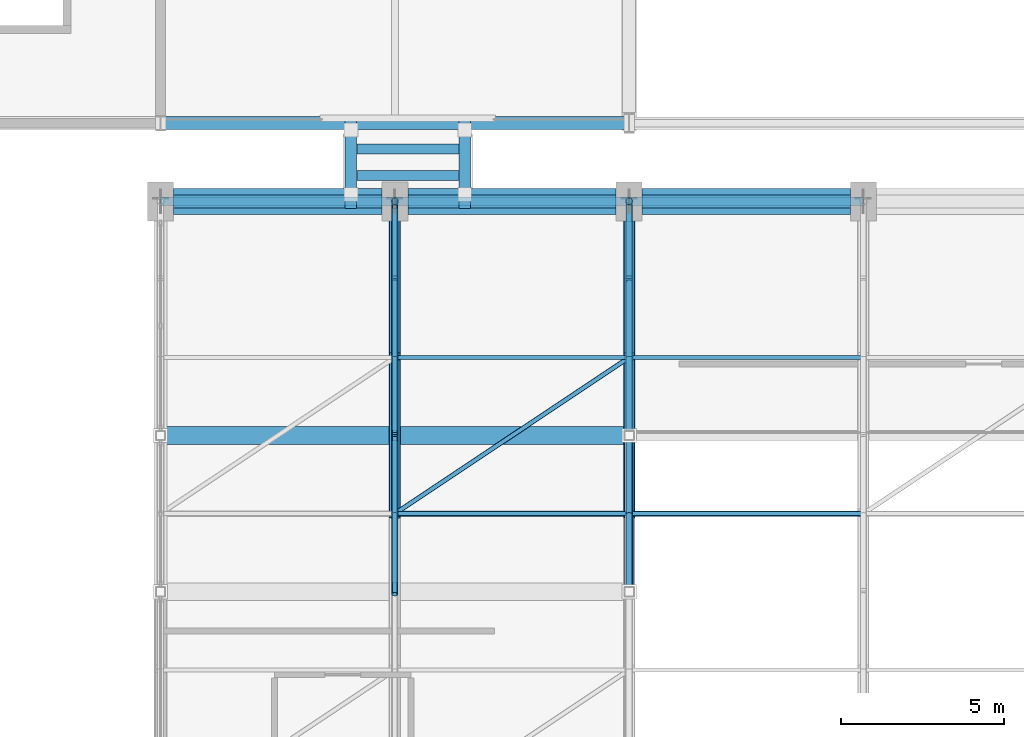
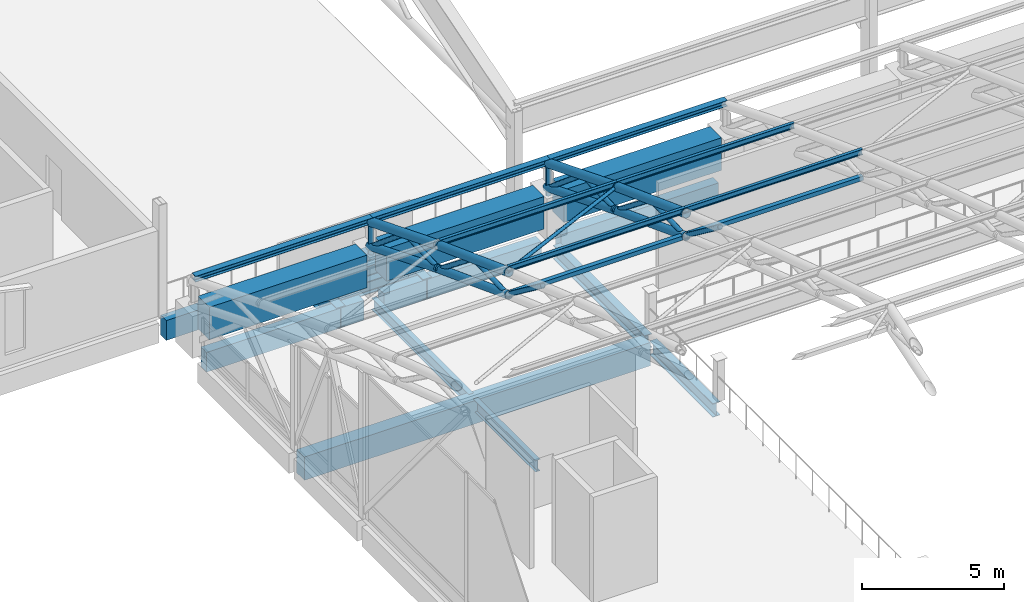
# One storey, part 50 of 116: 30 members, 16 beams.
"""IFC4 building model written with IfcOpenShell, lengths in metres."""

from ifc_helpers import new_model, si_unit, direction, frame, origin, origin_2d, place, context, subcontext, project, spatial, rectangle, hollow_rectangle, hollow_circle, i_section, extrude, material, material_profile, profile_set, type_object, element, save


model = new_model("IFC4")

# Units and contexts
model_context = context("Model", 3, precision=1e-05, world=origin(), true_north=direction((0.0, 1.0)))
body_context = subcontext(model_context, "Body", "Model", "MODEL_VIEW")
ifc_project = project(units=[si_unit("LENGTHUNIT", "METRE"), si_unit("AREAUNIT", "SQUARE_METRE"), si_unit("VOLUMEUNIT", "CUBIC_METRE"), si_unit("PLANEANGLEUNIT", "RADIAN"), si_unit("MASSUNIT", "GRAM", prefix="KILO")], contexts=[model_context])

# Site, building, storey
site_placement = place(None, origin())
site = spatial("IfcSite", under=ifc_project, at=site_placement, CompositionType="ELEMENT")
building_placement = place(site_placement, origin())
building = spatial("IfcBuilding", under=site, at=building_placement, Name="Cendralis Lancet Convention Centre", CompositionType="ELEMENT")
storey_placement = place(building_placement, frame((0.0, 0.0, 15.0)))
storey = spatial("IfcBuildingStorey", under=building, at=storey_placement, Name="L03", CompositionType="ELEMENT", Elevation=15.0)

# Beams
ifc_material_1 = material(Name="Concrete G40 (C40/50)", Category="concrete")
ifc_material_profile_1 = material_profile(ifc_material_1, rectangle(XDim=0.550048828125, YDim=1.0, at=origin_2d()), Name="RCB 550x1000")
ifc_profile_set_1 = profile_set([ifc_material_profile_1], Name="Concrete G40 (C40/50)")
beam_type_1 = type_object("IfcBeamType", Name="STR-BM-BG05", PredefinedType="BEAM", material=ifc_profile_set_1)
beam_1_placement = place(storey_placement, frame((139.375, 84.0, -0.760009765625), z_axis=(1.0, 0.0, 0.0), x_axis=(0.0, 1.0, 0.0)))
element("IfcBeam", 1, at=beam_1_placement, inside=storey, type_object=beam_type_1, Name="L03 Beam BG05 #1529", PredefinedType="BEAM", context=body_context, shape_type="SweptSolid", body=[
    extrude(rectangle(XDim=0.550048828125, YDim=1.0, at=origin_2d()), origin(), (0.0, 0.0, 1.0), 14.050048828125),
])
ifc_material_profile_2 = material_profile(ifc_material_1, rectangle(XDim=0.800048828125, YDim=1.39990234375, at=origin_2d()), Name="RCB 800x1400")
ifc_profile_set_2 = profile_set([ifc_material_profile_2], Name="Concrete G40 (C40/50)")
beam_type_2 = type_object("IfcBeamType", Name="STR-BM-BG17", PredefinedType="BEAM", material=ifc_profile_set_2)
for number, where, z_axis, x_axis, name in (
    (2, (139.60009765625, 91.199951171875, 1.10009765625), (1.0, 0.0, 0.0), (0.0, 1.0, 0.0), "L03 Beam BG17 #1568"),
    (3, (146.800048828125, 91.199951171875, 1.10009765625), (1.0, 0.0, 0.0), (0.0, 1.0, 0.0), "L03 Beam BG17 #1569"),
    (4, (154.0, 91.199951171875, 1.10009765625), (1.0, 0.0, 0.0), (0.0, 1.0, 0.0), "L03 Beam BG17 #1570"),
):
    element("IfcBeam", number, at=place(storey_placement, frame(where, z_axis=z_axis, x_axis=x_axis)), inside=storey, type_object=beam_type_2, Name=name, PredefinedType="BEAM", context=body_context, shape_type="SweptSolid", body=[
        extrude(rectangle(XDim=0.800048828125, YDim=1.39990234375, at=origin_2d()), origin(), (0.0, 0.0, 1.0), 6.39990234375),
    ])
ifc_material_2 = material(Name="Steel S355", Category="steel")
ifc_material_profile_3 = material_profile(ifc_material_2, i_section(OverallWidth=0.35009765625, OverallDepth=0.89990234375, WebThickness=0.01611328125, FlangeThickness=0.028076171875, at=origin_2d()), Name="PG 900x350")
ifc_profile_set_3 = profile_set([ifc_material_profile_3], Name="Steel S355")
beam_type_3 = type_object("IfcBeamType", Name="STR-BM-SG05", PredefinedType="BEAM", material=ifc_profile_set_3)
for number, where, z_axis, x_axis, name in (
    (5, (145.050048828125, 90.97998046875, -0.64990234375), (0.0, 1.0, 0.0), (-1.0, 0.0, 0.0), "L03 Beam SG05 #1896"),
    (6, (148.550048828125, 90.97998046875, -0.64990234375), (0.0, 1.0, 0.0), (-1.0, 0.0, 0.0), "L03 Beam SG05 #1897"),
):
    element("IfcBeam", number, at=place(storey_placement, frame(where, z_axis=z_axis, x_axis=x_axis)), inside=storey, type_object=beam_type_3, Name=name, PredefinedType="BEAM", context=body_context, shape_type="SweptSolid", body=[
        extrude(i_section(OverallWidth=0.35009765625, OverallDepth=0.89990234375, WebThickness=0.01611328125, FlangeThickness=0.028076171875, at=origin_2d()), origin(), (0.0, 0.0, 1.0), 2.840087890625),
    ])
ifc_material_profile_4 = material_profile(ifc_material_2, i_section(OverallWidth=0.300048828125, OverallDepth=0.590087890625, WebThickness=0.012939453125, FlangeThickness=0.02490234375, FilletRadius=0.027099609375, at=origin_2d()), Name="HEA 600")
ifc_profile_set_4 = profile_set([ifc_material_profile_4], Name="Steel S355")
beam_type_4 = type_object("IfcBeamType", Name="STR-BM-SG10", PredefinedType="BEAM", material=ifc_profile_set_4)
beam_2_placement = place(storey_placement, frame((153.60009765625, 79.375, -0.554931640625), z_axis=(0.0, 1.0, 0.0), x_axis=(-1.0, 0.0, 0.0)))
element("IfcBeam", 7, at=beam_2_placement, inside=storey, type_object=beam_type_4, Name="L03 Beam SG10 #1540", PredefinedType="BEAM", context=body_context, shape_type="SweptSolid", body=[
    extrude(i_section(OverallWidth=0.300048828125, OverallDepth=0.590087890625, WebThickness=0.012939453125, FlangeThickness=0.02490234375, FilletRadius=0.027099609375, at=origin_2d()), origin(), (0.0, 0.0, 1.0), 4.449951171875),
])
beam_3_placement = place(storey_placement, frame((153.60009765625, 84.175048828125, -0.554931640625), z_axis=(0.0, 1.0, 0.0), x_axis=(-1.0, 0.0, 0.0)))
element("IfcBeam", 8, at=beam_3_placement, inside=storey, type_object=beam_type_4, Name="L03 Beam SG10 #1541", PredefinedType="BEAM", context=body_context, shape_type="SweptSolid", body=[
    extrude(i_section(OverallWidth=0.300048828125, OverallDepth=0.590087890625, WebThickness=0.012939453125, FlangeThickness=0.02490234375, FilletRadius=0.027099609375, at=origin_2d()), origin(), (0.0, 0.0, 1.0), 6.425048828125),
])
ifc_material_profile_5 = material_profile(ifc_material_2, i_section(OverallWidth=0.300048828125, OverallDepth=0.5400390625, WebThickness=0.012451171875, FlangeThickness=0.02392578125, FilletRadius=0.027099609375, at=origin_2d()), Name="HEA 550")
ifc_profile_set_5 = profile_set([ifc_material_profile_5], Name="Steel S355")
beam_type_5 = type_object("IfcBeamType", Name="STR-BM-SG11", PredefinedType="BEAM", material=ifc_profile_set_5)
for number, where, z_axis, x_axis, name in (
    (9, (145.22998046875, 91.991943359375, -0.469970703125), (1.0, 0.0, 0.0), (0.0, 1.0, 0.0), "L03 Beam SG11 #1898"),
    (10, (145.22998046875, 92.80810546875, -0.469970703125), (1.0, 0.0, 0.0), (0.0, 1.0, 0.0), "L03 Beam SG11 #1899"),
):
    element("IfcBeam", number, at=place(storey_placement, frame(where, z_axis=z_axis, x_axis=x_axis)), inside=storey, type_object=beam_type_5, Name=name, PredefinedType="BEAM", context=body_context, shape_type="SweptSolid", body=[
        extrude(i_section(OverallWidth=0.300048828125, OverallDepth=0.5400390625, WebThickness=0.012451171875, FlangeThickness=0.02392578125, FilletRadius=0.027099609375, at=origin_2d()), origin(), (0.0, 0.0, 1.0), 3.14013671875),
    ])

# Members
ifc_material_profile_6 = material_profile(ifc_material_2, hollow_circle(Radius=0.06982421875, WallThickness=0.00634765625, at=origin_2d()), Name="CHS 139.7x6.3")
ifc_profile_set_6 = profile_set([ifc_material_profile_6], Name="Steel S355")
member_type_1 = type_object("IfcMemberType", Name="STR-BR-RB02", PredefinedType="BRACE", material=ifc_profile_set_6)
member_1_placement = place(storey_placement, frame((146.39990234375, 81.60009765625, 6.538818359375), z_axis=(0.81492154607, 0.54324418811, -0.201961941551), x_axis=(-0.554674152876, 0.832067655982, 0.0)))
element("IfcMember", 11, at=member_1_placement, inside=storey, type_object=member_type_1, Name="Roof Diaphragm Brace RB02 V2-01-08A", PredefinedType="BRACE", context=body_context, shape_type="SweptSolid", body=[
    extrude(hollow_circle(Radius=0.06982421875, WallThickness=0.00634765625, at=origin_2d()), origin(), (0.0, 0.0, 1.0), 8.83544921875),
])
ifc_material_profile_7 = material_profile(ifc_material_2, hollow_rectangle(XDim=0.179931640625, YDim=0.179931640625, WallThickness=0.010009765625, at=origin_2d()), Name="SHS 180x180x10.0")
ifc_profile_set_7 = profile_set([ifc_material_profile_7], Name="Steel S355")
member_type_2 = type_object("IfcMemberType", Name="STR-BR-ST02", PredefinedType="STRUT", material=ifc_profile_set_7)
member_2_placement = place(storey_placement, frame((146.39990234375, 81.60009765625, 5.555908203125), z_axis=(1.0, 0.0, 0.0), x_axis=(0.0, 1.0, 0.0)))
element("IfcMember", 12, at=member_2_placement, inside=storey, type_object=member_type_2, Name="Arch Tie Strut ST02 V2-01-08", PredefinedType="STRUT", context=body_context, shape_type="SweptSolid", body=[
    extrude(hollow_rectangle(XDim=0.179931640625, YDim=0.179931640625, WallThickness=0.010009765625, at=origin_2d()), origin(), (0.0, 0.0, 1.0), 7.2001953125),
])
member_3_placement = place(storey_placement, frame((153.60009765625, 81.60009765625, 5.555908203125), z_axis=(1.0, 0.0, 0.0), x_axis=(0.0, 1.0, 0.0)))
element("IfcMember", 13, at=member_3_placement, inside=storey, type_object=member_type_2, Name="Arch Tie Strut ST02 V2-02-08", PredefinedType="STRUT", context=body_context, shape_type="SweptSolid", body=[
    extrude(hollow_rectangle(XDim=0.179931640625, YDim=0.179931640625, WallThickness=0.010009765625, at=origin_2d()), origin(), (0.0, 0.0, 1.0), 7.199951171875),
])

# Beams
ifc_material_profile_8 = material_profile(ifc_material_2, i_section(OverallWidth=0.199951171875, OverallDepth=0.5, WebThickness=0.01025390625, FlangeThickness=0.01611328125, FilletRadius=0.02099609375, at=origin_2d()), Name="IPE 500")
ifc_profile_set_8 = profile_set([ifc_material_profile_8], Name="Steel S355")
beam_type_6 = type_object("IfcBeamType", Name="STR-JS-BJ06", PredefinedType="JOIST", material=ifc_profile_set_8)
beam_4_placement = place(storey_placement, frame((146.39990234375, 79.47509765625, -0.510009765625), z_axis=(0.0, 1.0, 0.0), x_axis=(-1.0, 0.0, 0.0)))
element("IfcBeam", 14, at=beam_4_placement, inside=storey, type_object=beam_type_6, Name="L03 Beam BJ06 #1554", PredefinedType="JOIST", context=body_context, shape_type="SweptSolid", body=[
    extrude(i_section(OverallWidth=0.199951171875, OverallDepth=0.5, WebThickness=0.01025390625, FlangeThickness=0.01611328125, FilletRadius=0.02099609375, at=origin_2d()), origin(), (0.0, 0.0, 1.0), 4.375),
])
beam_5_placement = place(storey_placement, frame((146.39990234375, 84.14990234375, -0.510009765625), z_axis=(0.0, 1.0, 0.0), x_axis=(-1.0, 0.0, 0.0)))
element("IfcBeam", 15, at=beam_5_placement, inside=storey, type_object=beam_type_6, Name="L03 Beam BJ06 #1555", PredefinedType="JOIST", context=body_context, shape_type="SweptSolid", body=[
    extrude(i_section(OverallWidth=0.199951171875, OverallDepth=0.5, WebThickness=0.01025390625, FlangeThickness=0.01611328125, FilletRadius=0.02099609375, at=origin_2d()), origin(), (0.0, 0.0, 1.0), 6.85009765625),
])

# Members
ifc_material_profile_9 = material_profile(ifc_material_2, i_section(OverallWidth=0.1201171875, OverallDepth=0.239990234375, WebThickness=0.006103515625, FlangeThickness=0.009765625, FilletRadius=0.014892578125, at=origin_2d()), Name="IPE 240")
ifc_profile_set_9 = profile_set([ifc_material_profile_9], Name="Steel S355")
member_type_3 = type_object("IfcMemberType", Name="STR-PR-PR02", PredefinedType="PURLIN", material=ifc_profile_set_9)
for number, where, z_axis, x_axis, name in (
    (16, (146.39990234375, 81.60009765625, 6.668701171875), (1.0, 0.0, 0.0), (0.0, 1.0, 0.0), "Vault Roof Purlin PR02 V2-01-08"),
    (17, (146.39990234375, 86.39990234375, 4.884521484375), (1.0, 0.0, 0.0), (0.0, 1.0, 0.0), "Vault Roof Purlin PR02 V2-01-09"),
):
    element("IfcMember", number, at=place(storey_placement, frame(where, z_axis=z_axis, x_axis=x_axis)), inside=storey, type_object=member_type_3, Name=name, PredefinedType="PURLIN", context=body_context, shape_type="SweptSolid", body=[
        extrude(i_section(OverallWidth=0.1201171875, OverallDepth=0.239990234375, WebThickness=0.006103515625, FlangeThickness=0.009765625, FilletRadius=0.014892578125, at=origin_2d()), origin(), (0.0, 0.0, 1.0), 7.2001953125),
    ])
for number, where, z_axis, x_axis, name in (
    (18, (153.60009765625, 81.60009765625, 6.668701171875), (1.0, 0.0, 0.0), (0.0, 1.0, 0.0), "Vault Roof Purlin PR02 V2-02-08"),
    (19, (153.60009765625, 86.39990234375, 4.884521484375), (1.0, 0.0, 0.0), (0.0, 1.0, 0.0), "Vault Roof Purlin PR02 V2-02-09"),
):
    element("IfcMember", number, at=place(storey_placement, frame(where, z_axis=z_axis, x_axis=x_axis)), inside=storey, type_object=member_type_3, Name=name, PredefinedType="PURLIN", context=body_context, shape_type="SweptSolid", body=[
        extrude(i_section(OverallWidth=0.1201171875, OverallDepth=0.239990234375, WebThickness=0.006103515625, FlangeThickness=0.009765625, FilletRadius=0.014892578125, at=origin_2d()), origin(), (0.0, 0.0, 1.0), 7.199951171875),
    ])
ifc_material_profile_10 = material_profile(ifc_material_2, i_section(OverallWidth=0.260009765625, OverallDepth=0.25, WebThickness=0.007568359375, FlangeThickness=0.012451171875, FilletRadius=0.02392578125, at=origin_2d()), Name="HEA 260")
ifc_profile_set_10 = profile_set([ifc_material_profile_10], Name="Steel S355")
member_type_4 = type_object("IfcMemberType", Name="STR-PR-PR07", PredefinedType="PURLIN", material=ifc_profile_set_10)
member_4_placement = place(storey_placement, frame((139.199951171875, 91.199951171875, 2.97509765625), z_axis=(1.0, 0.0, 0.0), x_axis=(0.0, 1.0, 0.0)))
element("IfcMember", 20, at=member_4_placement, inside=storey, type_object=member_type_4, Name="Vault Roof Purlin PR07 V2-00-10", PredefinedType="PURLIN", context=body_context, shape_type="SweptSolid", body=[
    extrude(i_section(OverallWidth=0.260009765625, OverallDepth=0.25, WebThickness=0.007568359375, FlangeThickness=0.012451171875, FilletRadius=0.02392578125, at=origin_2d()), origin(), (0.0, 0.0, 1.0), 7.199951171875),
])
member_5_placement = place(storey_placement, frame((146.39990234375, 91.199951171875, 2.97509765625), z_axis=(1.0, 0.0, 0.0), x_axis=(0.0, 1.0, 0.0)))
element("IfcMember", 21, at=member_5_placement, inside=storey, type_object=member_type_4, Name="Vault Roof Purlin PR07 V2-01-10", PredefinedType="PURLIN", context=body_context, shape_type="SweptSolid", body=[
    extrude(i_section(OverallWidth=0.260009765625, OverallDepth=0.25, WebThickness=0.007568359375, FlangeThickness=0.012451171875, FilletRadius=0.02392578125, at=origin_2d()), origin(), (0.0, 0.0, 1.0), 7.2001953125),
])
member_6_placement = place(storey_placement, frame((153.60009765625, 91.199951171875, 2.97509765625), z_axis=(1.0, 0.0, 0.0), x_axis=(0.0, 1.0, 0.0)))
element("IfcMember", 22, at=member_6_placement, inside=storey, type_object=member_type_4, Name="Vault Roof Purlin PR07 V2-02-10", PredefinedType="PURLIN", context=body_context, shape_type="SweptSolid", body=[
    extrude(i_section(OverallWidth=0.260009765625, OverallDepth=0.25, WebThickness=0.007568359375, FlangeThickness=0.012451171875, FilletRadius=0.02392578125, at=origin_2d()), origin(), (0.0, 0.0, 1.0), 7.199951171875),
])

# Beams
ifc_material_profile_11 = material_profile(ifc_material_1, rectangle(XDim=0.39990234375, YDim=0.85009765625, at=origin_2d()), Name="RCB 400x850")
ifc_profile_set_11 = profile_set([ifc_material_profile_11], Name="Concrete G40 (C40/50)")
beam_type_7 = type_object("IfcBeamType", Name="STR-SP-SP02", PredefinedType="SPANDREL", material=ifc_profile_set_11)
for number, where, z_axis, x_axis, name in (
    (23, (139.60009765625, 91.199951171875, -0.68505859375), (1.0, 0.0, 0.0), (0.0, 1.0, 0.0), "L03 Beam SP02 #1513"),
    (24, (146.800048828125, 91.199951171875, -0.68505859375), (1.0, 0.0, 0.0), (0.0, 1.0, 0.0), "L03 Beam SP02 #1514"),
    (25, (154.0, 91.199951171875, -0.68505859375), (1.0, 0.0, 0.0), (0.0, 1.0, 0.0), "L03 Beam SP02 #1515"),
):
    element("IfcBeam", number, at=place(storey_placement, frame(where, z_axis=z_axis, x_axis=x_axis)), inside=storey, type_object=beam_type_7, Name=name, PredefinedType="SPANDREL", context=body_context, shape_type="SweptSolid", body=[
        extrude(rectangle(XDim=0.39990234375, YDim=0.85009765625, at=origin_2d()), origin(), (0.0, 0.0, 1.0), 6.39990234375),
    ])
beam_6_placement = place(storey_placement, frame((139.35009765625, 93.60009765625, -0.68505859375), z_axis=(1.0, 0.0, 0.0), x_axis=(0.0, 1.0, 0.0)))
element("IfcBeam", 26, at=beam_6_placement, inside=storey, type_object=beam_type_7, Name="L03 Beam SP02 #1756", PredefinedType="SPANDREL", context=body_context, shape_type="SweptSolid", body=[
    extrude(rectangle(XDim=0.39990234375, YDim=0.85009765625, at=origin_2d()), origin(), (0.0, 0.0, 1.0), 14.099853515625),
])

# Members
ifc_material_profile_12 = material_profile(ifc_material_2, hollow_circle(Radius=0.161865234375, WallThickness=0.01416015625, at=origin_2d()), Name="CHS 323.9x14.2")
ifc_profile_set_12 = profile_set([ifc_material_profile_12], Name="Steel S355")
member_type_5 = type_object("IfcMemberType", Name="STR-TR-BC02-INT", PredefinedType="CHORD", material=ifc_profile_set_12)
member_7_placement = place(storey_placement, frame((146.39990234375, 81.48779296875, 5.598388671875), z_axis=(0.0, 0.935181338514, -0.354169259105), x_axis=(-1.0, 0.0, 0.0)))
element("IfcMember", 27, at=member_7_placement, inside=storey, type_object=member_type_5, Name="ROOF TRUSS AT-V2-02 Bottom Chord 08", PredefinedType="CHORD", context=body_context, shape_type="SweptSolid", body=[
    extrude(hollow_circle(Radius=0.161865234375, WallThickness=0.01416015625, at=origin_2d()), origin(), (0.0, 0.0, 1.0), 5.37255859375),
])
member_8_placement = place(storey_placement, frame((146.39990234375, 86.288818359375, 3.782958984375), z_axis=(0.0, 0.927271931531, -0.374388521451), x_axis=(-1.0, 0.0, 0.0)))
element("IfcMember", 28, at=member_8_placement, inside=storey, type_object=member_type_5, Name="ROOF TRUSS AT-V2-02 Bottom Chord 09", PredefinedType="CHORD", context=body_context, shape_type="SweptSolid", body=[
    extrude(hollow_circle(Radius=0.161865234375, WallThickness=0.01416015625, at=origin_2d()), origin(), (0.0, 0.0, 1.0), 5.41650390625),
])
member_9_placement = place(storey_placement, frame((153.60009765625, 81.48779296875, 5.598388671875), z_axis=(0.0, 0.935181338514, -0.354169259105), x_axis=(-1.0, 0.0, 0.0)))
element("IfcMember", 29, at=member_9_placement, inside=storey, type_object=member_type_5, Name="ROOF TRUSS AT-V2-03 Bottom Chord 08", PredefinedType="CHORD", context=body_context, shape_type="SweptSolid", body=[
    extrude(hollow_circle(Radius=0.161865234375, WallThickness=0.01416015625, at=origin_2d()), origin(), (0.0, 0.0, 1.0), 5.37255859375),
])
member_10_placement = place(storey_placement, frame((153.60009765625, 86.288818359375, 3.782958984375), z_axis=(0.0, 0.927271931531, -0.374388521451), x_axis=(-1.0, 0.0, 0.0)))
element("IfcMember", 30, at=member_10_placement, inside=storey, type_object=member_type_5, Name="ROOF TRUSS AT-V2-03 Bottom Chord 09", PredefinedType="CHORD", context=body_context, shape_type="SweptSolid", body=[
    extrude(hollow_circle(Radius=0.161865234375, WallThickness=0.01416015625, at=origin_2d()), origin(), (0.0, 0.0, 1.0), 5.41650390625),
])
ifc_material_profile_13 = material_profile(ifc_material_2, hollow_circle(Radius=0.177734375, WallThickness=0.01611328125, at=origin_2d()), Name="CHS 355.6x16.0")
ifc_profile_set_13 = profile_set([ifc_material_profile_13], Name="Steel S355")
member_type_6 = type_object("IfcMemberType", Name="STR-TR-TC02-INT", PredefinedType="CHORD", material=ifc_profile_set_13)
member_11_placement = place(storey_placement, frame((146.39990234375, 81.487548828125, 6.58056640625), z_axis=(0.0, 0.937332228344, -0.34843692931), x_axis=(-1.0, 0.0, 0.0)))
element("IfcMember", 31, at=member_11_placement, inside=storey, type_object=member_type_6, Name="ROOF TRUSS AT-V2-02 Top Chord 08", PredefinedType="CHORD", context=body_context, shape_type="SweptSolid", body=[
    extrude(hollow_circle(Radius=0.177734375, WallThickness=0.01611328125, at=origin_2d()), origin(), (0.0, 0.0, 1.0), 5.36083984375),
])
member_12_placement = place(storey_placement, frame((146.39990234375, 86.28857421875, 4.798828125), z_axis=(0.0, 0.929495136476, -0.368834368338), x_axis=(-1.0, 0.0, 0.0)))
element("IfcMember", 32, at=member_12_placement, inside=storey, type_object=member_type_6, Name="ROOF TRUSS AT-V2-02 Top Chord 09", PredefinedType="CHORD", context=body_context, shape_type="SweptSolid", body=[
    extrude(hollow_circle(Radius=0.177734375, WallThickness=0.01611328125, at=origin_2d()), origin(), (0.0, 0.0, 1.0), 5.404052734375),
])
member_13_placement = place(storey_placement, frame((153.60009765625, 81.487548828125, 6.58056640625), z_axis=(0.0, 0.937332228344, -0.34843692931), x_axis=(-1.0, 0.0, 0.0)))
element("IfcMember", 33, at=member_13_placement, inside=storey, type_object=member_type_6, Name="ROOF TRUSS AT-V2-03 Top Chord 08", PredefinedType="CHORD", context=body_context, shape_type="SweptSolid", body=[
    extrude(hollow_circle(Radius=0.177734375, WallThickness=0.01611328125, at=origin_2d()), origin(), (0.0, 0.0, 1.0), 5.36083984375),
])
member_14_placement = place(storey_placement, frame((153.60009765625, 86.28857421875, 4.798828125), z_axis=(0.0, 0.929495136476, -0.368834368338), x_axis=(-1.0, 0.0, 0.0)))
element("IfcMember", 34, at=member_14_placement, inside=storey, type_object=member_type_6, Name="ROOF TRUSS AT-V2-03 Top Chord 09", PredefinedType="CHORD", context=body_context, shape_type="SweptSolid", body=[
    extrude(hollow_circle(Radius=0.177734375, WallThickness=0.01611328125, at=origin_2d()), origin(), (0.0, 0.0, 1.0), 5.404052734375),
])
ifc_material_profile_14 = material_profile(ifc_material_2, hollow_circle(Radius=0.096923828125, WallThickness=0.008056640625, at=origin_2d()), Name="CHS 193.7x8.0")
ifc_profile_set_14 = profile_set([ifc_material_profile_14], Name="Steel S355")
member_type_7 = type_object("IfcMemberType", Name="STR-TR-WD02-INT", PredefinedType="BRACE", material=ifc_profile_set_14)
member_15_placement = place(storey_placement, frame((146.39990234375, 79.1201171875, 7.43115234375), z_axis=(0.0, 0.797620051478, -0.603160222064), x_axis=(-1.0, 0.0, 0.0)))
element("IfcMember", 35, at=member_15_placement, inside=storey, type_object=member_type_7, Name="ROOF TRUSS AT-V2-02 Warren Web 07-1", PredefinedType="BRACE", context=body_context, shape_type="SweptSolid", body=[
    extrude(hollow_circle(Radius=0.096923828125, WallThickness=0.008056640625, at=origin_2d()), origin(), (0.0, 0.0, 1.0), 3.208984375),
])
member_16_placement = place(storey_placement, frame((146.39990234375, 81.5, 5.55224609375), z_axis=(0.0, 0.999288228514, 0.037723154086), x_axis=(-1.0, 0.0, 0.0)))
element("IfcMember", 36, at=member_16_placement, inside=storey, type_object=member_type_7, Name="ROOF TRUSS AT-V2-02 Warren Web 08-0", PredefinedType="BRACE", context=body_context, shape_type="SweptSolid", body=[
    extrude(hollow_circle(Radius=0.096923828125, WallThickness=0.008056640625, at=origin_2d()), origin(), (0.0, 0.0, 1.0), 2.601806640625),
])
member_17_placement = place(storey_placement, frame((146.39990234375, 83.921630859375, 5.708984375), z_axis=(0.0, 0.782673873306, -0.62243201078), x_axis=(-1.0, 0.0, 0.0)))
element("IfcMember", 37, at=member_17_placement, inside=storey, type_object=member_type_7, Name="ROOF TRUSS AT-V2-02 Warren Web 08-1", PredefinedType="BRACE", context=body_context, shape_type="SweptSolid", body=[
    extrude(hollow_circle(Radius=0.096923828125, WallThickness=0.008056640625, at=origin_2d()), origin(), (0.0, 0.0, 1.0), 3.2666015625),
])
member_18_placement = place(storey_placement, frame((146.39990234375, 86.300048828125, 3.7353515625), z_axis=(0.0, 0.999642061144, 0.0267534968), x_axis=(-1.0, 0.0, 0.0)))
element("IfcMember", 38, at=member_18_placement, inside=storey, type_object=member_type_7, Name="ROOF TRUSS AT-V2-02 Warren Web 09-0", PredefinedType="BRACE", context=body_context, shape_type="SweptSolid", body=[
    extrude(hollow_circle(Radius=0.096923828125, WallThickness=0.008056640625, at=origin_2d()), origin(), (0.0, 0.0, 1.0), 2.600830078125),
])
member_19_placement = place(storey_placement, frame((146.39990234375, 88.72314453125, 3.866455078125), z_axis=(0.0, 0.767848091912, -0.640631959667), x_axis=(-1.0, 0.0, 0.0)))
element("IfcMember", 39, at=member_19_placement, inside=storey, type_object=member_type_7, Name="ROOF TRUSS AT-V2-02 Warren Web 09-1", PredefinedType="BRACE", context=body_context, shape_type="SweptSolid", body=[
    extrude(hollow_circle(Radius=0.096923828125, WallThickness=0.008056640625, at=origin_2d()), origin(), (0.0, 0.0, 1.0), 3.32568359375),
])
member_20_placement = place(storey_placement, frame((153.60009765625, 79.1201171875, 7.43115234375), z_axis=(0.0, 0.797620051478, -0.603160222064), x_axis=(-1.0, 0.0, 0.0)))
element("IfcMember", 40, at=member_20_placement, inside=storey, type_object=member_type_7, Name="ROOF TRUSS AT-V2-03 Warren Web 07-1", PredefinedType="BRACE", context=body_context, shape_type="SweptSolid", body=[
    extrude(hollow_circle(Radius=0.096923828125, WallThickness=0.008056640625, at=origin_2d()), origin(), (0.0, 0.0, 1.0), 3.208984375),
])
member_21_placement = place(storey_placement, frame((153.60009765625, 81.5, 5.55224609375), z_axis=(0.0, 0.999288228514, 0.037723154086), x_axis=(-1.0, 0.0, 0.0)))
element("IfcMember", 41, at=member_21_placement, inside=storey, type_object=member_type_7, Name="ROOF TRUSS AT-V2-03 Warren Web 08-0", PredefinedType="BRACE", context=body_context, shape_type="SweptSolid", body=[
    extrude(hollow_circle(Radius=0.096923828125, WallThickness=0.008056640625, at=origin_2d()), origin(), (0.0, 0.0, 1.0), 2.601806640625),
])
member_22_placement = place(storey_placement, frame((153.60009765625, 83.921630859375, 5.708984375), z_axis=(0.0, 0.782673873306, -0.62243201078), x_axis=(-1.0, 0.0, 0.0)))
element("IfcMember", 42, at=member_22_placement, inside=storey, type_object=member_type_7, Name="ROOF TRUSS AT-V2-03 Warren Web 08-1", PredefinedType="BRACE", context=body_context, shape_type="SweptSolid", body=[
    extrude(hollow_circle(Radius=0.096923828125, WallThickness=0.008056640625, at=origin_2d()), origin(), (0.0, 0.0, 1.0), 3.2666015625),
])
member_23_placement = place(storey_placement, frame((153.60009765625, 86.300048828125, 3.7353515625), z_axis=(0.0, 0.999642061144, 0.0267534968), x_axis=(-1.0, 0.0, 0.0)))
element("IfcMember", 43, at=member_23_placement, inside=storey, type_object=member_type_7, Name="ROOF TRUSS AT-V2-03 Warren Web 09-0", PredefinedType="BRACE", context=body_context, shape_type="SweptSolid", body=[
    extrude(hollow_circle(Radius=0.096923828125, WallThickness=0.008056640625, at=origin_2d()), origin(), (0.0, 0.0, 1.0), 2.600830078125),
])
member_24_placement = place(storey_placement, frame((153.60009765625, 88.72314453125, 3.866455078125), z_axis=(0.0, 0.767848091912, -0.640631959667), x_axis=(-1.0, 0.0, 0.0)))
element("IfcMember", 44, at=member_24_placement, inside=storey, type_object=member_type_7, Name="ROOF TRUSS AT-V2-03 Warren Web 09-1", PredefinedType="BRACE", context=body_context, shape_type="SweptSolid", body=[
    extrude(hollow_circle(Radius=0.096923828125, WallThickness=0.008056640625, at=origin_2d()), origin(), (0.0, 0.0, 1.0), 3.32568359375),
])
ifc_material_profile_15 = material_profile(ifc_material_2, hollow_circle(Radius=0.109619140625, WallThickness=0.010009765625, at=origin_2d()), Name="CHS 219.1x10.0")
ifc_profile_set_15 = profile_set([ifc_material_profile_15], Name="Steel S355")
member_type_8 = type_object("IfcMemberType", Name="STR-TR-WV02-INT", PredefinedType="POST", material=ifc_profile_set_15)
for number, where, z_axis, x_axis, name in (
    (45, (146.39990234375, 91.199951171875, 1.5), (0.0, 0.0, 1.0), (1.0, 0.0, 0.0), "ROOF TRUSS AT-V2-02 Springing Post N10"),
    (46, (153.60009765625, 91.199951171875, 1.5), (0.0, 0.0, 1.0), (1.0, 0.0, 0.0), "ROOF TRUSS AT-V2-03 Springing Post N10"),
):
    element("IfcMember", number, at=place(storey_placement, frame(where, z_axis=z_axis, x_axis=x_axis)), inside=storey, type_object=member_type_8, Name=name, PredefinedType="POST", context=body_context, shape_type="SweptSolid", body=[
        extrude(hollow_circle(Radius=0.109619140625, WallThickness=0.010009765625, at=origin_2d()), origin(), (0.0, 0.0, 1.0), 1.570068359375),
    ])

save(model, "model.ifc")
